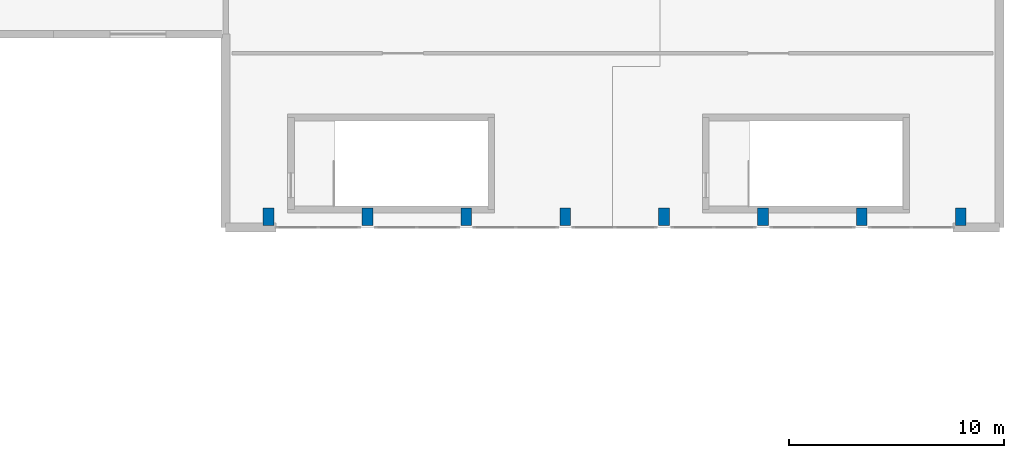
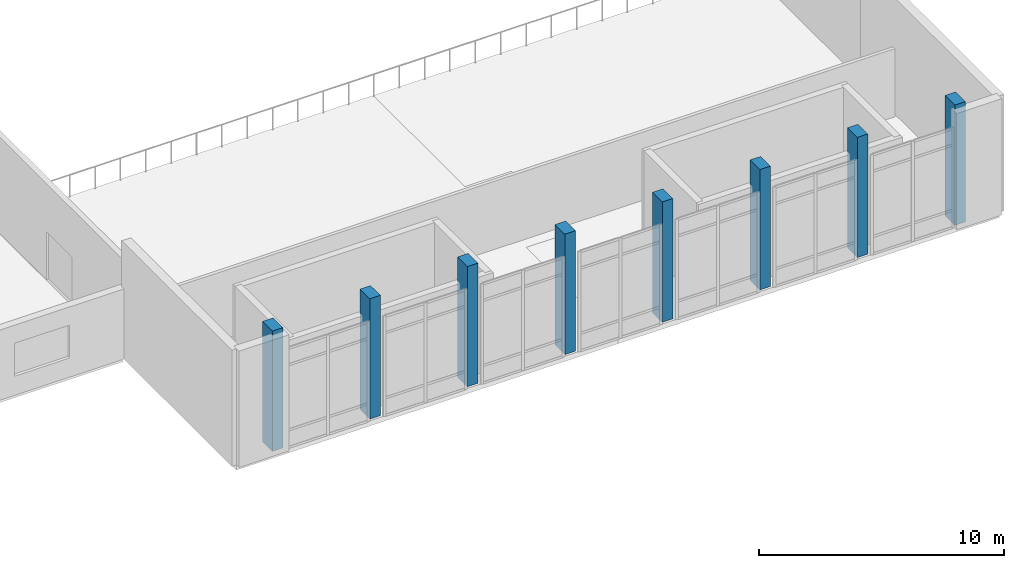
# One storey, part 3 of 54: 8 columns.
"""IFC4 building model written with IfcOpenShell, lengths in metres."""

from ifc_helpers import new_model, si_unit, direction, frame, origin, origin_2d, place, context, subcontext, project, spatial, rectangle, extrude, material, material_profile, profile_set, type_object, element, save


model = new_model("IFC4")

# Units and contexts
model_context = context("Model", 3, precision=1e-05, world=origin(), true_north=direction((0.0, 1.0)))
body_context = subcontext(model_context, "Body", "Model", "MODEL_VIEW")
ifc_project = project(units=[si_unit("LENGTHUNIT", "METRE"), si_unit("AREAUNIT", "SQUARE_METRE"), si_unit("VOLUMEUNIT", "CUBIC_METRE"), si_unit("PLANEANGLEUNIT", "RADIAN"), si_unit("MASSUNIT", "GRAM", prefix="KILO")], contexts=[model_context])

# Site, building, storey
site_placement = place(None, origin())
site = spatial("IfcSite", under=ifc_project, at=site_placement, CompositionType="ELEMENT")
building_placement = place(site_placement, origin())
building = spatial("IfcBuilding", under=site, at=building_placement, Name="Tlacozan Convention Centre", CompositionType="ELEMENT")
storey_placement = place(building_placement, frame((0.0, 0.0, 11.39990234375)))
storey = spatial("IfcBuildingStorey", under=building, at=storey_placement, Name="L02", CompositionType="ELEMENT", Elevation=11.39990234375)

# Columns
ifc_material = material(Name="Concrete C40/50", Category="concrete")
ifc_material_profile = material_profile(ifc_material, rectangle(XDim=0.5, YDim=0.800048828125, at=origin_2d()), Name="RC 500x800")
ifc_profile_set = profile_set([ifc_material_profile], Name="Concrete C40/50")
column_type = type_object("IfcColumnType", Name="Pilaster Cantera RC 500x800", PredefinedType="PILASTER", material=ifc_profile_set)
for number, where, z_axis, x_axis, name in (
    (1, (146.0, 18.5, 0.0), (0.0, 0.0, 1.0), (1.0, 0.0, 0.0), "L02 Column 724"),
    (2, (150.60009765625, 18.5, 0.0), (0.0, 0.0, 1.0), (1.0, 0.0, 0.0), "L02 Column 735"),
    (3, (155.199951171875, 18.5, 0.0), (0.0, 0.0, 1.0), (1.0, 0.0, 0.0), "L02 Column 759"),
    (4, (159.800048828125, 18.5, 0.0), (0.0, 0.0, 1.0), (1.0, 0.0, 0.0), "L02 Column 770"),
    (5, (164.39990234375, 18.5, 0.0), (0.0, 0.0, 1.0), (1.0, 0.0, 0.0), "L02 Column 794"),
    (6, (169.0, 18.5, 0.0), (0.0, 0.0, 1.0), (1.0, 0.0, 0.0), "L02 Column 832"),
    (7, (173.60009765625, 18.5, 0.0), (0.0, 0.0, 1.0), (1.0, 0.0, 0.0), "L02 Column 843"),
    (8, (178.199951171875, 18.5, 0.0), (0.0, 0.0, 1.0), (1.0, 0.0, 0.0), "L02 Column 854"),
):
    element("IfcColumn", number, at=place(storey_placement, frame(where, z_axis=z_axis, x_axis=x_axis)), inside=storey, type_object=column_type, Name=name, PredefinedType="PILASTER", context=body_context, shape_type="SweptSolid", body=[
        extrude(rectangle(XDim=0.5, YDim=0.800048828125, at=origin_2d()), origin(), (0.0, 0.0, 1.0), 6.0),
    ])

save(model, "model.ifc")
